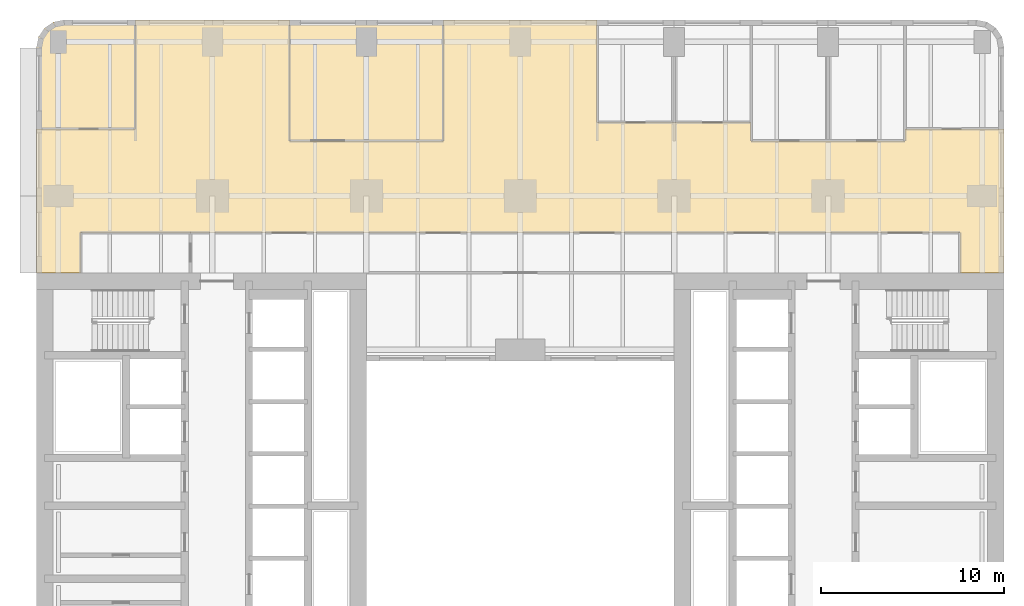
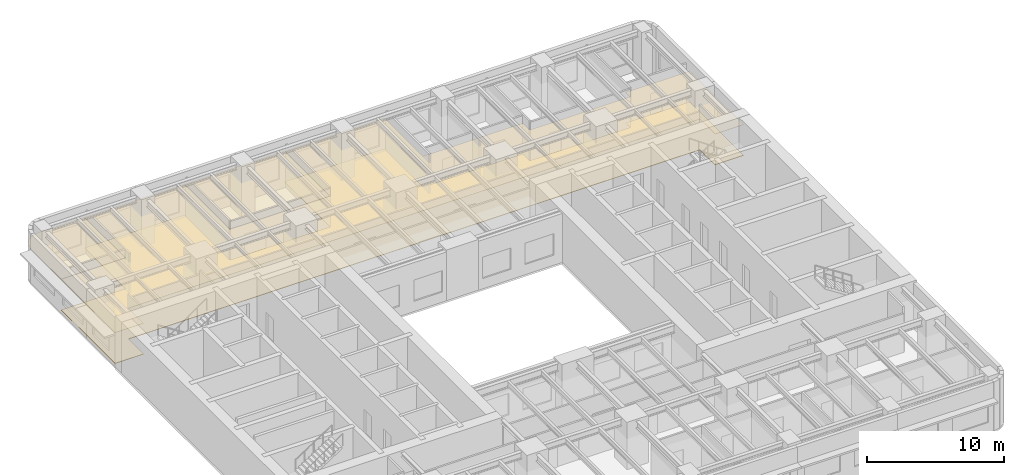
# One storey, part 13 of 14: 4 coverings.
"""IFC4 building model written with IfcOpenShell, lengths in metres."""

import ifcopenshell
import ifcopenshell.guid

model = None  # the IFC model being written
_history = None  # IfcOwnerHistory: only IFC2X3 demands one
_inside = {}  # id of a spatial element -> (the spatial element, [elements in it])
_under = {}  # id of a project, library or spatial element -> (it, [spatial elements below it])
_declared = {}  # id of a project -> (the project, [libraries it declares])
_typed = {}  # id of a type object -> (the type object, [elements of that type])
_made_of = {}  # id of a material, layer set ... -> (it, [elements and type objects made of it])


def new_model(schema):
    """Start an empty IFC model of exactly this schema.

    Asked for "IFC4X3", IfcOpenShell would pick the latest addendum, in which some entities
    have other attributes; the version numbers below select the first issue.
    IFC2X3 requires an IfcOwnerHistory on every rooted entity: one is made here for all.
    """
    global model, _history
    if schema == "IFC4X3":
        model = ifcopenshell.file(schema_version=(4, 3, 0, 0))
    else:
        model = ifcopenshell.file(schema=schema)
    _inside.clear()
    _under.clear()
    _declared.clear()
    _typed.clear()
    _made_of.clear()
    _history = None
    if model.schema == "IFC2X3":
        org = make("IfcOrganization", Name="unknown")
        user = make(
            "IfcPersonAndOrganization",
            ThePerson=make("IfcPerson", FamilyName="unknown"),
            TheOrganization=org,
        )
        app = make(
            "IfcApplication",
            ApplicationDeveloper=org,
            Version="unknown",
            ApplicationFullName="unknown",
            ApplicationIdentifier="unknown",
        )
        _history = make(
            "IfcOwnerHistory",
            OwningUser=user,
            OwningApplication=app,
            ChangeAction="ADDED",
            CreationDate=0,
        )
    return model


def make(cls, **values):
    """One entity of the class cls with the attributes given. An attribute that is None is left unset."""
    return model.create_entity(
        cls, **{name: value for name, value in values.items() if value is not None}
    )


def rooted(cls, **values):
    """An entity with a GlobalId (a new one), such as an element, a storey or a relation."""
    return make(cls, GlobalId=ifcopenshell.guid.new(), OwnerHistory=_history, **values)


def si_unit(unit_type, name, prefix=None):
    """IfcSIUnit, for example si_unit("LENGTHUNIT", "METRE", prefix="MILLI")."""
    return make("IfcSIUnit", UnitType=unit_type, Prefix=prefix, Name=name)


def assignment(units):
    """IfcUnitAssignment: the units of a project."""
    return None if units is None else make("IfcUnitAssignment", Units=units)


def point(xyz):
    """IfcCartesianPoint."""
    return None if xyz is None else make("IfcCartesianPoint", Coordinates=xyz)


def direction(xyz):
    """IfcDirection."""
    return None if xyz is None else make("IfcDirection", DirectionRatios=xyz)


def frame(location, z_axis=None, x_axis=None):
    """IfcAxis2Placement3D, a coordinate frame: its origin and axes. An axis left out is left unset."""
    return make(
        "IfcAxis2Placement3D",
        Location=point(location),
        Axis=direction(z_axis),
        RefDirection=direction(x_axis),
    )


def origin():
    """The frame at (0, 0, 0) with its axes left unset."""
    return frame((0.0, 0.0, 0.0))


def place(relative_to, where):
    """IfcLocalPlacement: puts the frame where relative to a parent placement (None: the world)."""
    return make(
        "IfcLocalPlacement", PlacementRelTo=relative_to, RelativePlacement=where
    )


def context(
    kind, dimensions, precision=None, world=None, true_north=None, identifier=None
):
    """IfcGeometricRepresentationContext, for example the 3D "Model" context."""
    return make(
        "IfcGeometricRepresentationContext",
        ContextIdentifier=identifier,
        ContextType=kind,
        CoordinateSpaceDimension=dimensions,
        Precision=precision,
        WorldCoordinateSystem=world,
        TrueNorth=true_north,
    )


def subcontext(parent, identifier, kind, view, scale=None):
    """IfcGeometricRepresentationSubContext, for example "Body" below "Model"."""
    return make(
        "IfcGeometricRepresentationSubContext",
        ContextIdentifier=identifier,
        ContextType=kind,
        ParentContext=parent,
        TargetScale=scale,
        TargetView=view,
    )


def project(units=None, contexts=None):
    """IfcProject with its units and contexts."""
    return rooted(
        "IfcProject",
        Name="project",
        RepresentationContexts=contexts,
        UnitsInContext=assignment(units),
    )


def spatial(cls, under=None, at=None, **own):
    """A site, building, storey or space (cls), placed at a placement, below another one or the project."""
    s = rooted(cls, ObjectPlacement=at, **own)
    if under is not None:
        _under.setdefault(under.id(), (under, []))[1].append(s)
    return s


def polyline(points):
    """IfcPolyline through the points."""
    return make("IfcPolyline", Points=[point(p) for p in points])


def outline(outer, holes=None, kind="AREA"):
    """IfcArbitraryClosedProfileDef: a profile drawn as a closed curve; with holes, ...WithVoids."""
    if holes is None:
        return make("IfcArbitraryClosedProfileDef", ProfileType=kind, OuterCurve=outer)
    return make(
        "IfcArbitraryProfileDefWithVoids",
        ProfileType=kind,
        OuterCurve=outer,
        InnerCurves=holes,
    )


def extrude(swept, where, along, depth):
    """IfcExtrudedAreaSolid: the profile swept, set in the frame where, extruded along a direction by depth."""
    return make(
        "IfcExtrudedAreaSolid",
        SweptArea=swept,
        Position=where,
        ExtrudedDirection=direction(along),
        Depth=depth,
    )


def shape(context_of_items, identifier, shape_type, items):
    """IfcShapeRepresentation: the items that make up one representation, for example the "Body"."""
    return make(
        "IfcShapeRepresentation",
        ContextOfItems=context_of_items,
        RepresentationIdentifier=identifier,
        RepresentationType=shape_type,
        Items=items,
    )


def material(Name=None, Category=None):
    """IfcMaterial."""
    return make("IfcMaterial", Name=Name, Category=Category)


def layer(
    of_material, thickness, ventilated=None, Name=None, Category=None, Priority=None
):
    """IfcMaterialLayer: one layer of a wall or slab, of a material (None: an air gap)."""
    return make(
        "IfcMaterialLayer",
        Material=of_material,
        LayerThickness=thickness,
        IsVentilated=ventilated,
        Name=Name,
        Category=Category,
        Priority=Priority,
    )


def layer_set(layers, Name=None):
    """IfcMaterialLayerSet."""
    return make("IfcMaterialLayerSet", MaterialLayers=layers, LayerSetName=Name)


def made_of(thing, what):
    """Note that an element or type object is made of a material, layer set ...; save() writes the relation."""
    if what is not None:
        _made_of.setdefault(what.id(), (what, []))[1].append(thing)
    return thing


def type_object(cls, material=None, **own):
    """A type object (cls), such as IfcWallType, which elements share."""
    return made_of(rooted(cls, **own), material)


def element(
    cls,
    number,
    at=None,
    inside=None,
    cuts=None,
    type_object=None,
    material=None,
    context=None,
    identifier="Body",
    shape_type=None,
    held_by="IfcProductDefinitionShape",
    body=None,
    shapes=None,
    **own,
):
    """One element of the class cls, such as IfcWall. Its Tag is "e" and its number.

    at: its placement. inside: the storey or other place that contains it. cuts: it is an
    opening in that element (IfcRelVoidsElement). A single representation is given by context,
    identifier, shape_type and body (its items); several are given by shapes. held_by: the class
    of the entity that holds the representations. save() writes the other relations.
    """
    e = rooted(cls, Tag="e%d" % number, ObjectPlacement=at, **own)
    if body is not None:
        shapes = [shape(context, identifier, shape_type, body)]
    if shapes is not None:
        e.Representation = make(held_by, Representations=shapes)
    if inside is not None:
        _inside.setdefault(inside.id(), (inside, []))[1].append(e)
    if cuts is not None:
        rooted(
            "IfcRelVoidsElement", RelatingBuildingElement=cuts, RelatedOpeningElement=e
        )
    if type_object is not None:
        _typed.setdefault(type_object.id(), (type_object, []))[1].append(e)
    return made_of(e, material)


def aggregate(whole, parts):
    """IfcRelAggregates: a whole, such as a stair, and the parts it consists of."""
    return rooted("IfcRelAggregates", RelatingObject=whole, RelatedObjects=parts)


def save(model, path):
    """Write the relations noted so far, then the file.

    IfcRelAggregates (storeys below a building ...), IfcRelContainedInSpatialStructure (elements
    in a storey), IfcRelDefinesByType, IfcRelAssociatesMaterial and IfcRelDeclares: one each for
    every whole, place, type object, material and project.
    """
    for whole, parts in _under.values():
        aggregate(whole, parts)
    for where, things in _inside.values():
        rooted(
            "IfcRelContainedInSpatialStructure",
            RelatedElements=things,
            RelatingStructure=where,
        )
    for kind, things in _typed.values():
        rooted("IfcRelDefinesByType", RelatedObjects=things, RelatingType=kind)
    for what, things in _made_of.values():
        rooted("IfcRelAssociatesMaterial", RelatedObjects=things, RelatingMaterial=what)
    for by, libraries in _declared.values():
        rooted("IfcRelDeclares", RelatingContext=by, RelatedDefinitions=libraries)
    model.write(path)


model = new_model("IFC4")

# Units and contexts
model_context = context("Model", 3, precision=1e-05, world=origin(), true_north=direction((0.0, 1.0)))
body_context = subcontext(model_context, "Body", "Model", "MODEL_VIEW")
ifc_project = project(units=[si_unit("LENGTHUNIT", "METRE"), si_unit("AREAUNIT", "SQUARE_METRE"), si_unit("VOLUMEUNIT", "CUBIC_METRE"), si_unit("PLANEANGLEUNIT", "RADIAN"), si_unit("MASSUNIT", "GRAM", prefix="KILO")], contexts=[model_context])

# Site, building, storey
site_placement = place(None, origin())
site = spatial("IfcSite", under=ifc_project, at=site_placement, CompositionType="ELEMENT")
building_placement = place(site_placement, origin())
building = spatial("IfcBuilding", under=site, at=building_placement, Name="Claustro Exchange Tower", CompositionType="ELEMENT")
storey_placement = place(building_placement, frame((0.0, 0.0, 32.39990234375)))
storey = spatial("IfcBuildingStorey", under=building, at=storey_placement, Name="L07", CompositionType="ELEMENT", Elevation=32.39990234375)

# Coverings
ifc_material_1 = material(Name="Gypsum board ceiling", Category="gypsum board")
ifc_layer_1 = layer(ifc_material_1, 0.02490234375)
ifc_layer_set_1 = layer_set([ifc_layer_1], Name="Gypsum board ceiling")
covering_type_1 = type_object("IfcCoveringType", Name="CL2 plasterboard ceiling", PredefinedType="CEILING", material=ifc_layer_set_1)
covering_1_placement = place(storey_placement, frame((0.0, 0.0, 3.0)))
element("IfcCovering", 1, at=covering_1_placement, inside=storey, type_object=covering_type_1, Name="Ceiling CL2 L07-14", PredefinedType="CEILING", context=body_context, shape_type="SweptSolid", body=[
    extrude(outline(polyline([(-1.199951171875, 45.64990234375), (-1.199951171875, 37.800048828125), (1.199951171875, 37.800048828125), (1.199951171875, 40.0), (7.199951171875, 40.0), (49.199951171875, 40.0), (49.199951171875, 37.800048828125), (51.60009765625, 37.800048828125), (51.60009765625, 45.64990234375), (46.199951171875, 45.64990234375), (46.199951171875, 45.0), (42.0, 45.0), (37.800048828125, 45.0), (37.800048828125, 46.0), (33.60009765625, 46.0), (29.39990234375, 46.0), (29.39990234375, 51.60009765625), (21.0, 51.60009765625), (21.0, 45.0), (12.60009765625, 45.0), (12.60009765625, 51.60009765625), (4.199951171875, 51.60009765625), (4.199951171875, 45.64990234375), (-1.199951171875, 45.64990234375)])), origin(), (0.0, 0.0, 1.0), 0.025146484375),
])
covering_2_placement = place(storey_placement, frame((0.0, 0.0, 3.0)))
element("IfcCovering", 2, at=covering_2_placement, inside=storey, type_object=covering_type_1, Name="Ceiling CL2 L07-15", PredefinedType="CEILING", context=body_context, shape_type="SweptSolid", body=[
    extrude(outline(polyline([(21.0, 51.60009765625), (12.60009765625, 51.60009765625), (12.60009765625, 45.0), (21.0, 45.0), (21.0, 51.60009765625)])), origin(), (0.0, 0.0, 1.0), 0.025146484375),
])
covering_3_placement = place(storey_placement, frame((0.0, 0.0, 3.0)))
element("IfcCovering", 3, at=covering_3_placement, inside=storey, type_object=covering_type_1, Name="Ceiling CL2 L07-18", PredefinedType="CEILING", context=body_context, shape_type="SweptSolid", body=[
    extrude(outline(polyline([(-1.199951171875, 50.10009765625), (-1.199951171875, 45.64990234375), (4.199951171875, 45.64990234375), (4.199951171875, 51.60009765625), (0.300048828125, 51.60009765625), (-0.27392578125, 51.48583984375), (-0.7607421875, 51.16064453125), (-1.085693359375, 50.674072265625), (-1.199951171875, 50.10009765625)])), origin(), (0.0, 0.0, 1.0), 0.025146484375),
])
ifc_material_2 = material(Name="Steel-encased raised floor panels on pedestals", Category="steel")
ifc_layer_2 = layer(ifc_material_2, 0.0400390625)
ifc_layer_set_2 = layer_set([ifc_layer_2], Name="Steel-encased raised floor panels on pedestals")
covering_type_2 = type_object("IfcCoveringType", Name="RF1 300 raised access floor", PredefinedType="FLOORING", material=ifc_layer_set_2)
covering_4_placement = place(storey_placement, frame((0.0, 0.0, 0.260009765625)))
element("IfcCovering", 4, at=covering_4_placement, inside=storey, type_object=covering_type_2, Name="Raised access floor RF1 L07-14", PredefinedType="FLOORING", context=body_context, shape_type="SweptSolid", body=[
    extrude(outline(polyline([(-1.199951171875, 45.64990234375), (-1.199951171875, 37.800048828125), (1.199951171875, 37.800048828125), (1.199951171875, 40.0), (7.199951171875, 40.0), (49.199951171875, 40.0), (49.199951171875, 37.800048828125), (51.60009765625, 37.800048828125), (51.60009765625, 45.64990234375), (46.199951171875, 45.64990234375), (46.199951171875, 45.0), (42.0, 45.0), (37.800048828125, 45.0), (37.800048828125, 46.0), (33.60009765625, 46.0), (29.39990234375, 46.0), (29.39990234375, 51.60009765625), (21.0, 51.60009765625), (21.0, 45.0), (12.60009765625, 45.0), (12.60009765625, 51.60009765625), (4.199951171875, 51.60009765625), (4.199951171875, 45.64990234375), (-1.199951171875, 45.64990234375)])), origin(), (0.0, 0.0, 1.0), 0.0400390625),
])

save(model, "model.ifc")
